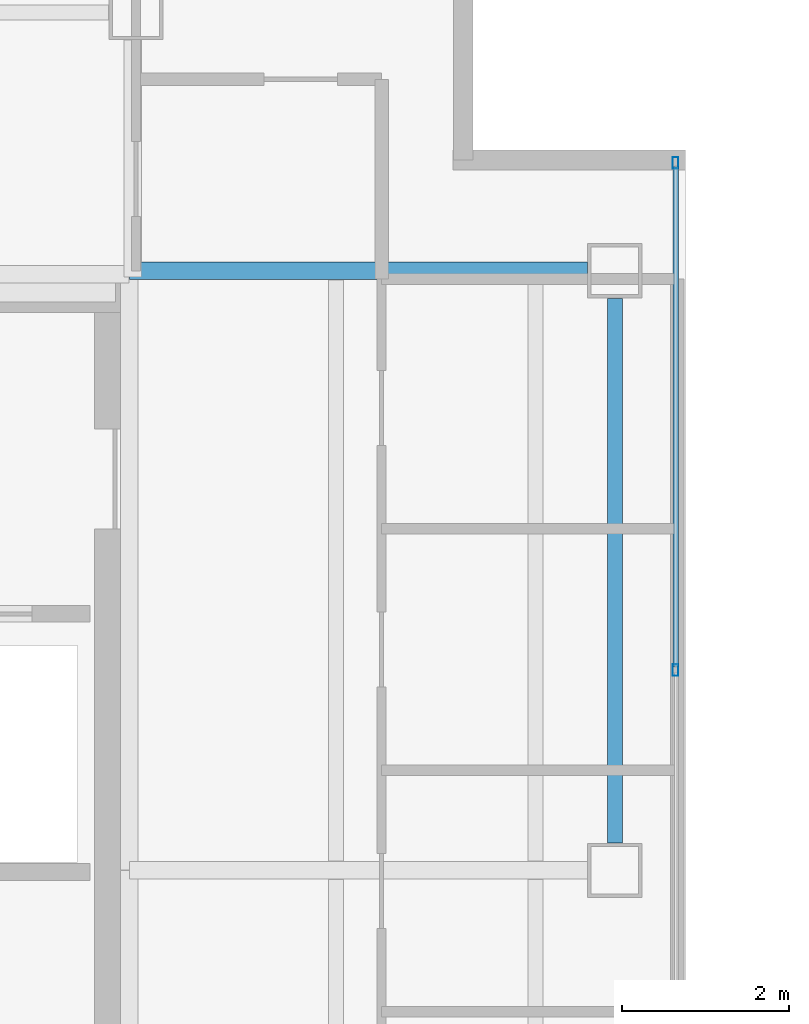
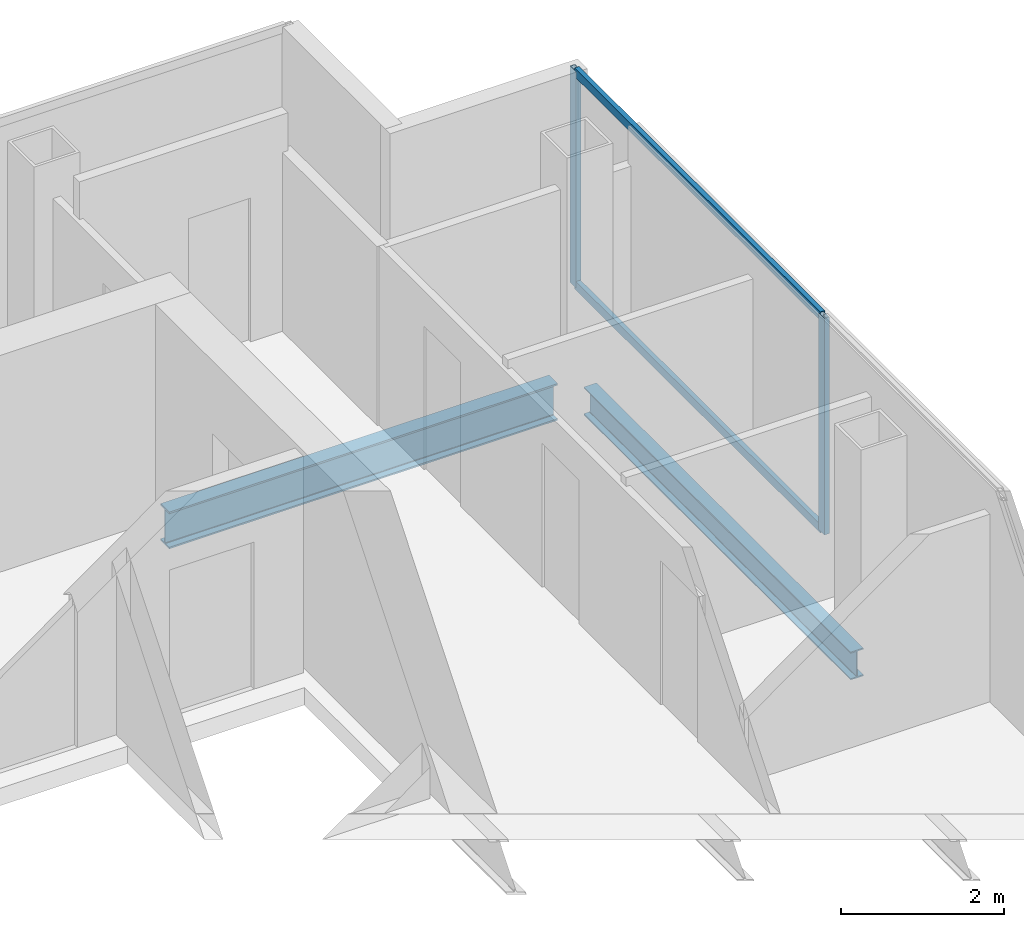
# One storey, part 11 of 23: 4 members, 2 beams, 1 element without a shape of its own.
"""IFC4 building model written with IfcOpenShell, lengths in metres."""

from ifc_helpers import new_model, si_unit, direction, frame, origin, origin_2d, place, context, subcontext, project, spatial, hollow_rectangle, i_section, extrude, material, material_profile, profile_set, type_object, element, aggregate, save


model = new_model("IFC4")

# Units and contexts
model_context = context("Model", 3, precision=1e-05, world=origin(), true_north=direction((0.0, 1.0)))
body_context = subcontext(model_context, "Body", "Model", "MODEL_VIEW")
ifc_project = project(units=[si_unit("LENGTHUNIT", "METRE"), si_unit("AREAUNIT", "SQUARE_METRE"), si_unit("VOLUMEUNIT", "CUBIC_METRE"), si_unit("PLANEANGLEUNIT", "RADIAN"), si_unit("MASSUNIT", "GRAM", prefix="KILO")], contexts=[model_context])

# Site, building, storey
site_placement = place(None, origin())
site = spatial("IfcSite", under=ifc_project, at=site_placement, CompositionType="ELEMENT")
building_placement = place(site_placement, origin())
building = spatial("IfcBuilding", under=site, at=building_placement, Name="Cobrela Telecom Tower", CompositionType="ELEMENT")
storey_placement = place(building_placement, frame((0.0, 0.0, 255.14990234375)))
storey = spatial("IfcBuildingStorey", under=building, at=storey_placement, Name="L66", CompositionType="ELEMENT", Elevation=255.14990234375)

# Beams
ifc_material_1 = material(Name="Steel ASTM A992 Grade 50", Category="steel")
ifc_material_profile_1 = material_profile(ifc_material_1, i_section(OverallWidth=0.212890625, OverallDepth=0.549072265625, WebThickness=0.0146484375, FlangeThickness=0.023681640625, FilletRadius=0.013916015625, at=origin_2d()), Name="W21X93")
ifc_profile_set_1 = profile_set([ifc_material_profile_1], Name="Steel ASTM A992 Grade 50")
beam_type_1 = type_object("IfcBeamType", Name="BM-GIRD-08", PredefinedType="USERDEFINED", material=ifc_profile_set_1)
beam_1_placement = place(storey_placement, frame((14.324951171875, 36.0, -0.534423828125), z_axis=(1.0, 0.0, 0.0), x_axis=(0.0, 1.0, 0.0)))
element("IfcBeam", 1, at=beam_1_placement, inside=storey, type_object=beam_type_1, Name="L66 Primary Girder X18", ObjectType="GIRDER", PredefinedType="USERDEFINED", context=body_context, shape_type="SweptSolid", body=[
    extrude(i_section(OverallWidth=0.212890625, OverallDepth=0.549072265625, WebThickness=0.0146484375, FlangeThickness=0.023681640625, FilletRadius=0.013916015625, at=origin_2d()), origin(), (0.0, 0.0, 1.0), 5.4951171875),
])
ifc_material_profile_2 = material_profile(ifc_material_1, i_section(OverallWidth=0.179931640625, OverallDepth=0.4169921875, WebThickness=0.010986328125, FlangeThickness=0.01806640625, FilletRadius=0.011962890625, at=origin_2d()), Name="W16X57")
ifc_profile_set_2 = profile_set([ifc_material_profile_2], Name="Steel ASTM A992 Grade 50")
beam_type_2 = type_object("IfcBeamType", Name="BM-SPAND-06", PredefinedType="SPANDREL", material=ifc_profile_set_2)
beam_2_placement = place(storey_placement, frame((20.14990234375, 29.1298828125, -0.468505859375), z_axis=(0.0, 1.0, 0.0), x_axis=(-1.0, 0.0, 0.0)))
element("IfcBeam", 2, at=beam_2_placement, inside=storey, type_object=beam_type_2, Name="L66 Perimeter Spandrel Y26", PredefinedType="SPANDREL", context=body_context, shape_type="SweptSolid", body=[
    extrude(i_section(OverallWidth=0.179931640625, OverallDepth=0.4169921875, WebThickness=0.010986328125, FlangeThickness=0.01806640625, FilletRadius=0.011962890625, at=origin_2d()), origin(), (0.0, 0.0, 1.0), 6.5400390625),
])

# Curtain wall, members
ifc_material_2 = material(Name="Anodized Bronze Aluminium 6063-T6", Category="aluminium")
curtain_wall_type = type_object("IfcCurtainWallType", Name="CW-SYS-OFF-HI", PredefinedType="USERDEFINED", material=ifc_material_2)
curtain_wall_placement = place(storey_placement, origin())
curtain_wall = element("IfcCurtainWall", 3, at=curtain_wall_placement, inside=storey, type_object=curtain_wall_type, Name="L66 Unitised Bronze Curtain Wall 08", ObjectType="UNITISED CURTAIN WALL", PredefinedType="USERDEFINED")
ifc_material_profile_3 = material_profile(ifc_material_2, hollow_rectangle(XDim=0.070068359375, YDim=0.139892578125, WallThickness=0.00390625, at=origin_2d()), Name="ALU 70x140x4")
ifc_profile_set_3 = profile_set([ifc_material_profile_3], Name="Anodized Bronze Aluminium 6063-T6")
member_type_1 = type_object("IfcMemberType", Name="CW-SYS-OFF-HI-MUL", PredefinedType="MULLION", material=ifc_profile_set_3)
member_1_placement = place(storey_placement, frame((20.8798828125, 37.294921875, 0.0), z_axis=(0.0, 0.0, 1.0), x_axis=(1.0, 0.0, 0.0)))
member_1 = element("IfcMember", 4, at=member_1_placement, type_object=member_type_1, Name="CW-OFF-HI mullion 1", PredefinedType="MULLION", context=body_context, shape_type="SweptSolid", body=[
    extrude(hollow_rectangle(XDim=0.070068359375, YDim=0.139892578125, WallThickness=0.00390625, at=origin_2d()), origin(), (0.0, 0.0, 1.0), 3.239990234375),
])
member_2_placement = place(storey_placement, frame((20.8798828125, 31.205078125, 0.0), z_axis=(0.0, 0.0, 1.0), x_axis=(1.0, 0.0, 0.0)))
member_2 = element("IfcMember", 5, at=member_2_placement, type_object=member_type_1, Name="CW-OFF-HI mullion 2", PredefinedType="MULLION", context=body_context, shape_type="SweptSolid", body=[
    extrude(hollow_rectangle(XDim=0.070068359375, YDim=0.139892578125, WallThickness=0.00390625, at=origin_2d()), origin(), (0.0, 0.0, 1.0), 3.239990234375),
])
ifc_material_profile_4 = material_profile(ifc_material_2, hollow_rectangle(XDim=0.06494140625, YDim=0.1298828125, WallThickness=0.00390625, at=origin_2d()), Name="ALU 65x130x4")
ifc_profile_set_4 = profile_set([ifc_material_profile_4], Name="Anodized Bronze Aluminium 6063-T6")
member_type_2 = type_object("IfcMemberType", Name="CW-SYS-OFF-HI-TRN", PredefinedType="USERDEFINED", material=ifc_profile_set_4)
member_3_placement = place(storey_placement, frame((20.8798828125, 37.260009765625, 0.03271484375), z_axis=(0.0, -1.0, 0.0), x_axis=(1.0, 0.0, 0.0)))
member_3 = element("IfcMember", 6, at=member_3_placement, type_object=member_type_2, Name="CW-OFF-HI transom 1.1", ObjectType="TRANSOM", PredefinedType="USERDEFINED", context=body_context, shape_type="SweptSolid", body=[
    extrude(hollow_rectangle(XDim=0.06494140625, YDim=0.1298828125, WallThickness=0.00390625, at=origin_2d()), origin(), (0.0, 0.0, 1.0), 6.02001953125),
])
member_4_placement = place(storey_placement, frame((20.8798828125, 37.260009765625, 3.20751953125), z_axis=(0.0, -1.0, 0.0), x_axis=(1.0, 0.0, 0.0)))
member_4 = element("IfcMember", 7, at=member_4_placement, type_object=member_type_2, Name="CW-OFF-HI transom 1.2", ObjectType="TRANSOM", PredefinedType="USERDEFINED", context=body_context, shape_type="SweptSolid", body=[
    extrude(hollow_rectangle(XDim=0.06494140625, YDim=0.1298828125, WallThickness=0.00390625, at=origin_2d()), origin(), (0.0, 0.0, 1.0), 6.02001953125),
])
aggregate(curtain_wall, [member_1, member_2, member_3, member_4])

save(model, "model.ifc")
